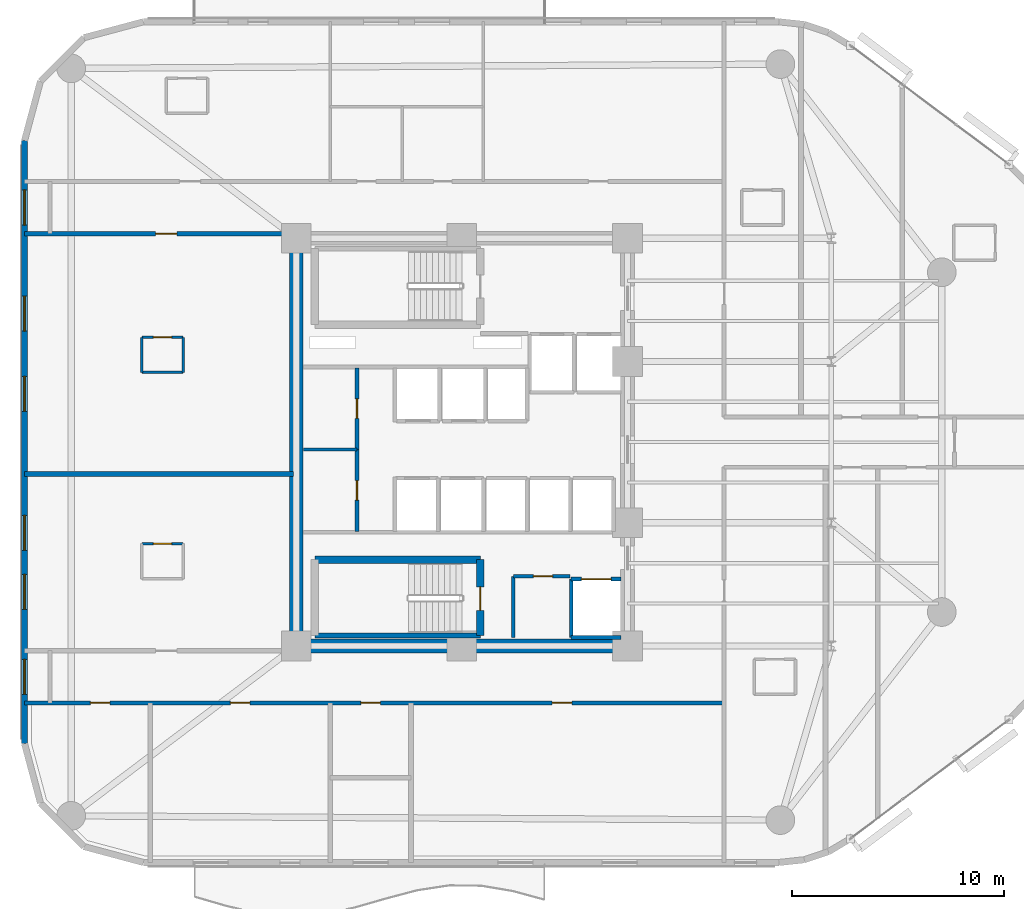
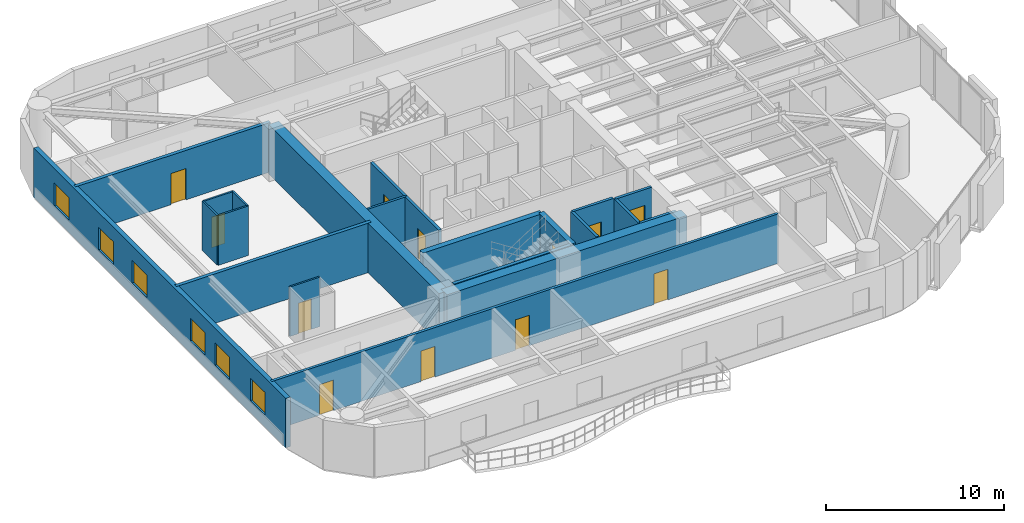
# One storey, part 10 of 16: 22 walls, 12 doors, 6 windows, 18 openings.
"""IFC4 building model written with IfcOpenShell, lengths in metres."""

from ifc_helpers import new_model, si_unit, direction, frame, frame_2d, origin, place, context, subcontext, project, spatial, rectangle, extrude, material, layer, layer_set, type_object, element, fill, save


model = new_model("IFC4")

# Units and contexts
model_context = context("Model", 3, precision=1e-05, world=origin(), true_north=direction((0.0, 1.0)))
body_context = subcontext(model_context, "Body", "Model", "MODEL_VIEW")
ifc_project = project(units=[si_unit("LENGTHUNIT", "METRE"), si_unit("AREAUNIT", "SQUARE_METRE"), si_unit("VOLUMEUNIT", "CUBIC_METRE"), si_unit("PLANEANGLEUNIT", "RADIAN"), si_unit("MASSUNIT", "GRAM", prefix="KILO")], contexts=[model_context])

# Site, building, storey
site_placement = place(None, origin())
site = spatial("IfcSite", under=ifc_project, at=site_placement, CompositionType="ELEMENT")
building_placement = place(site_placement, origin())
building = spatial("IfcBuilding", under=site, at=building_placement, Name="An Khanh Terracotta Commons", CompositionType="ELEMENT")
storey_placement = place(building_placement, frame((0.0, 0.0, 89.89990234375)))
storey = spatial("IfcBuildingStorey", under=building, at=storey_placement, Name="L23", CompositionType="ELEMENT", Elevation=89.89990234375)

# Walls
ifc_material_1 = material(Name="Concrete C60/75", Category="concrete")
ifc_layer_1 = layer(ifc_material_1, 0.64990234375, Name="Concrete C60/75")
ifc_layer_set_1 = layer_set([ifc_layer_1], Name="Concrete C60/75")
wall_type_1 = type_object("IfcWallType", Name="WALL-CORE-650", PredefinedType="SHEAR", material=ifc_layer_set_1)
wall_1_placement = place(storey_placement, frame((21.60009765625, 14.39990234375, 0.0), z_axis=(0.0, 0.0, 1.0), x_axis=(0.0, 1.0, 0.0)))
element("IfcWall", 1, at=wall_1_placement, inside=storey, type_object=wall_type_1, Name="L23 Core Wall CWALL-L23-W", PredefinedType="SHEAR", context=body_context, shape_type="SweptSolid", body=[
    extrude(rectangle(XDim=19.2001953125, YDim=0.64990234375, at=frame_2d((9.60009765625, 0.0))), origin(), (0.0, 0.0, 1.0), 3.400146484375),
])
wall_2_placement = place(storey_placement, frame((37.199951171875, 14.39990234375, 0.0), z_axis=(0.0, 0.0, 1.0), x_axis=(-1.0, 0.0, 0.0)))
element("IfcWall", 2, at=wall_2_placement, inside=storey, type_object=wall_type_1, Name="L23 Core Wall CWALL-L23-S", PredefinedType="SHEAR", context=body_context, shape_type="SweptSolid", body=[
    extrude(rectangle(XDim=15.599853515625, YDim=0.64990234375, at=frame_2d((7.7998046875, 0.0))), origin(), (0.0, 0.0, 1.0), 3.400146484375),
])

# Wall, opening, door
ifc_material_2 = material(Name="Fire-Rated Gypsum Board on Steel Stud", Category="steel")
ifc_layer_2 = layer(ifc_material_2, 0.179931640625, Name="Fire-Rated Gypsum Board on Steel Stud")
ifc_layer_set_2 = layer_set([ifc_layer_2], Name="Fire-Rated Gypsum Board on Steel Stud")
wall_type_2 = type_object("IfcWallType", Name="WALL-CORR-180", PredefinedType="PARTITIONING", material=ifc_layer_set_2)
wall_3_placement = place(storey_placement, frame((31.820068359375, 17.679931640625, 0.0), z_axis=(0.0, 0.0, 1.0), x_axis=(1.0, 0.0, 0.0)))
wall_3 = element("IfcWall", 3, at=wall_3_placement, inside=storey, type_object=wall_type_2, Name="L23 Core Wall SSVCW-L23-N", PredefinedType="PARTITIONING", context=body_context, shape_type="SweptSolid", body=[
    extrude(rectangle(XDim=2.659912109375, YDim=0.179931640625, at=frame_2d((1.330078125, 0.0))), origin(), (0.0, 0.0, 1.0), 3.400146484375),
])
opening_1_placement = place(wall_3_placement, frame((0.949951171875, 0.0, 0.0)))
opening_1 = element("IfcOpeningElement", 4, at=opening_1_placement, cuts=wall_3, Name="Opening D-SV", PredefinedType="OPENING", context=body_context, shape_type="SweptSolid", body=[
    extrude(rectangle(XDim=0.89990234375, YDim=2.050048828125, at=frame_2d((0.449951171875, 1.02490234375))), frame((0.0, 0.099853515625, 0.0), z_axis=(0.0, -1.0, 0.0), x_axis=(1.0, 0.0, 0.0)), (0.0, 0.0, 1.0), 0.199951171875),
])
ifc_material_3 = material(Name="Fire-Rated Powder-Coated Steel Door", Category="steel")
door_type_1 = type_object("IfcDoorType", Name="DOOR-SERV-900", OperationType="NOTDEFINED", PredefinedType="DOOR", material=ifc_material_3)
door_1_placement = place(opening_1_placement, origin())
door_1 = element("IfcDoor", 5, at=door_1_placement, inside=storey, type_object=door_type_1, Name="L23 Electrical Switch Cupboard Door", OperationType="SINGLE_SWING_LEFT", OverallHeight=2.050048828125, OverallWidth=0.89990234375, PredefinedType="DOOR", context=body_context, shape_type="SweptSolid", body=[
    extrude(rectangle(XDim=0.89990234375, YDim=2.050048828125, at=frame_2d((0.449951171875, 1.02490234375))), frame((0.0, 0.02490234375, 0.0), z_axis=(0.0, -1.0, 0.0), x_axis=(1.0, 0.0, 0.0)), (0.0, 0.0, 1.0), 0.050048828125),
])
fill(opening_1, door_1)

# Wall
wall_4_placement = place(storey_placement, frame((31.820068359375, 14.800048828125, 0.0), z_axis=(0.0, 0.0, 1.0), x_axis=(0.0, 1.0, 0.0)))
element("IfcWall", 6, at=wall_4_placement, inside=storey, type_object=wall_type_2, Name="L23 Core Wall SSVCW-L23-W", PredefinedType="PARTITIONING", context=body_context, shape_type="SweptSolid", body=[
    extrude(rectangle(XDim=2.8798828125, YDim=0.179931640625, at=frame_2d((1.43994140625, 0.0))), origin(), (0.0, 0.0, 1.0), 3.400146484375),
])

# Wall, opening, door
wall_5_placement = place(storey_placement, frame((34.550048828125, 17.550048828125, 0.0), z_axis=(0.0, 0.0, 1.0), x_axis=(1.0, 0.0, 0.0)))
wall_5 = element("IfcWall", 7, at=wall_5_placement, inside=storey, type_object=wall_type_2, Name="L23 Core Wall LSH-L23-SVL-01-N", PredefinedType="PARTITIONING", context=body_context, shape_type="SweptSolid", body=[
    extrude(rectangle(XDim=2.349853515625, YDim=0.179931640625, at=frame_2d((1.1748046875, 0.0))), origin(), (0.0, 0.0, 1.0), 3.400146484375),
])
opening_2_placement = place(wall_5_placement, frame((0.47509765625, 0.0, 0.0)))
opening_2 = element("IfcOpeningElement", 8, at=opening_2_placement, cuts=wall_5, Name="Opening LD-SVL-01-L23", PredefinedType="OPENING", context=body_context, shape_type="SweptSolid", body=[
    extrude(rectangle(XDim=1.39990234375, YDim=2.300048828125, at=frame_2d((0.699951171875, 1.14990234375))), frame((0.0, 0.099853515625, 0.0), z_axis=(0.0, -1.0, 0.0), x_axis=(1.0, 0.0, 0.0)), (0.0, 0.0, 1.0), 0.199951171875),
])
ifc_material_4 = material(Name="Heavy-Duty Stainless Steel Goods Landing Door", Category="steel")
door_type_2 = type_object("IfcDoorType", Name="DOOR-LD-SVL-1400", OperationType="NOTDEFINED", PredefinedType="DOOR", material=ifc_material_4)
door_2_placement = place(opening_2_placement, origin())
door_2 = element("IfcDoor", 9, at=door_2_placement, inside=storey, type_object=door_type_2, Name="L23 Lift SVL-01 Sliding Landing Door", OperationType="DOUBLE_DOOR_SLIDING", OverallHeight=2.300048828125, OverallWidth=1.39990234375, PredefinedType="DOOR", context=body_context, shape_type="SweptSolid", body=[
    extrude(rectangle(XDim=1.39990234375, YDim=2.300048828125, at=frame_2d((0.699951171875, 1.14990234375))), frame((0.0, 0.02490234375, 0.0), z_axis=(0.0, -1.0, 0.0), x_axis=(1.0, 0.0, 0.0)), (0.0, 0.0, 1.0), 0.050048828125),
])
fill(opening_2, door_2)

# Walls
wall_6_placement = place(storey_placement, frame((36.89990234375, 14.800048828125, 0.0), z_axis=(0.0, 0.0, 1.0), x_axis=(-1.0, 0.0, 0.0)))
element("IfcWall", 10, at=wall_6_placement, inside=storey, type_object=wall_type_2, Name="L23 Core Wall LSH-L23-SVL-01-S", PredefinedType="PARTITIONING", context=body_context, shape_type="SweptSolid", body=[
    extrude(rectangle(XDim=2.349853515625, YDim=0.179931640625, at=frame_2d((1.1748046875, 0.0))), origin(), (0.0, 0.0, 1.0), 3.400146484375),
])
wall_7_placement = place(storey_placement, frame((34.550048828125, 17.550048828125, 0.0), z_axis=(0.0, 0.0, 1.0), x_axis=(0.0, -1.0, 0.0)))
element("IfcWall", 11, at=wall_7_placement, inside=storey, type_object=wall_type_2, Name="L23 Core Wall LSH-L23-SVL-01-W", PredefinedType="PARTITIONING", context=body_context, shape_type="SweptSolid", body=[
    extrude(rectangle(XDim=2.75, YDim=0.179931640625, at=frame_2d((1.375, 0.0))), origin(), (0.0, 0.0, 1.0), 3.400146484375),
])

# Wall, opening, door
wall_8_placement = place(storey_placement, frame((24.4599609375, 23.64990234375, 0.0), z_axis=(0.0, 0.0, 1.0), x_axis=(0.0, 1.0, 0.0)))
wall_8 = element("IfcWall", 12, at=wall_8_placement, inside=storey, type_object=wall_type_2, Name="L23 Core Wall RECW-L23-E1", PredefinedType="PARTITIONING", context=body_context, shape_type="SweptSolid", body=[
    extrude(rectangle(XDim=3.85009765625, YDim=0.179931640625, at=frame_2d((1.925048828125, 0.0))), origin(), (0.0, 0.0, 1.0), 3.400146484375),
])
opening_3_placement = place(wall_8_placement, frame((1.465087890625, 0.0, 0.0)))
opening_3 = element("IfcOpeningElement", 13, at=opening_3_placement, cuts=wall_8, Name="Opening D-RM", PredefinedType="OPENING", context=body_context, shape_type="SweptSolid", body=[
    extrude(rectangle(XDim=0.919921875, YDim=2.10009765625, at=frame_2d((0.4599609375, 1.050048828125))), frame((0.0, 0.099853515625, 0.0), z_axis=(0.0, -1.0, 0.0), x_axis=(1.0, 0.0, 0.0)), (0.0, 0.0, 1.0), 0.199951171875),
])
ifc_material_5 = material(Name="Engineered Hardwood Timber Leaf", Category="wood")
door_type_3 = type_object("IfcDoorType", Name="DOOR-INT-920", OperationType="NOTDEFINED", PredefinedType="DOOR", material=ifc_material_5)
door_3_placement = place(opening_3_placement, origin())
door_3 = element("IfcDoor", 14, at=door_3_placement, inside=storey, type_object=door_type_3, Name="L23 Communal Laundry Room Door", OperationType="SINGLE_SWING_RIGHT", OverallHeight=2.10009765625, OverallWidth=0.919921875, PredefinedType="DOOR", context=body_context, shape_type="SweptSolid", body=[
    extrude(rectangle(XDim=0.919921875, YDim=2.10009765625, at=frame_2d((0.4599609375, 1.050048828125))), frame((0.0, 0.02490234375, 0.0), z_axis=(0.0, -1.0, 0.0), x_axis=(1.0, 0.0, 0.0)), (0.0, 0.0, 1.0), 0.050048828125),
])
fill(opening_3, door_3)

wall_9_placement = place(storey_placement, frame((24.4599609375, 19.800048828125, 0.0), z_axis=(0.0, 0.0, 1.0), x_axis=(0.0, 1.0, 0.0)))
wall_9 = element("IfcWall", 15, at=wall_9_placement, inside=storey, type_object=wall_type_2, Name="L23 Core Wall RECW-L23-E2", PredefinedType="PARTITIONING", context=body_context, shape_type="SweptSolid", body=[
    extrude(rectangle(XDim=3.849853515625, YDim=0.179931640625, at=frame_2d((1.9248046875, 0.0))), origin(), (0.0, 0.0, 1.0), 3.400146484375),
])
opening_4_placement = place(wall_9_placement, frame((1.465087890625, 0.0, 0.0)))
opening_4 = element("IfcOpeningElement", 16, at=opening_4_placement, cuts=wall_9, Name="Opening D-RM", PredefinedType="OPENING", context=body_context, shape_type="SweptSolid", body=[
    extrude(rectangle(XDim=0.919921875, YDim=2.10009765625, at=frame_2d((0.4599609375, 1.050048828125))), frame((0.0, 0.099853515625, 0.0), z_axis=(0.0, -1.0, 0.0), x_axis=(1.0, 0.0, 0.0)), (0.0, 0.0, 1.0), 0.199951171875),
])
door_4_placement = place(opening_4_placement, origin())
door_4 = element("IfcDoor", 17, at=door_4_placement, inside=storey, type_object=door_type_3, Name="L23 Floor Pantry and Ice Room Door", OperationType="SINGLE_SWING_LEFT", OverallHeight=2.10009765625, OverallWidth=0.919921875, PredefinedType="DOOR", context=body_context, shape_type="SweptSolid", body=[
    extrude(rectangle(XDim=0.919921875, YDim=2.10009765625, at=frame_2d((0.4599609375, 1.050048828125))), frame((0.0, 0.02490234375, 0.0), z_axis=(0.0, -1.0, 0.0), x_axis=(1.0, 0.0, 0.0)), (0.0, 0.0, 1.0), 0.050048828125),
])
fill(opening_4, door_4)

# Wall, openings, doors
wall_10_placement = place(storey_placement, frame((8.800048828125, 11.719970703125, 0.0), z_axis=(0.0, 0.0, 1.0), x_axis=(1.0, 0.0, 0.0)))
wall_10 = element("IfcWall", 18, at=wall_10_placement, inside=storey, type_object=wall_type_2, Name="L23 Interior Partition IW-L23-E002", PredefinedType="PARTITIONING", context=body_context, shape_type="SweptSolid", body=[
    extrude(rectangle(XDim=32.949951171875, YDim=0.179931640625, at=frame_2d((16.47509765625, 0.0))), origin(), (0.0, 0.0, 1.0), 3.400146484375),
])
opening_5_placement = place(wall_10_placement, frame((15.840087890625, 0.0, 0.0)))
opening_5 = element("IfcOpeningElement", 19, at=opening_5_placement, cuts=wall_10, Name="Opening D-RM", PredefinedType="OPENING", context=body_context, shape_type="SweptSolid", body=[
    extrude(rectangle(XDim=0.919921875, YDim=2.10009765625, at=frame_2d((0.4599609375, 1.050048828125))), frame((0.0, 0.099853515625, 0.0), z_axis=(0.0, -1.0, 0.0), x_axis=(1.0, 0.0, 0.0)), (0.0, 0.0, 1.0), 0.199951171875),
])
opening_6_placement = place(wall_10_placement, frame((3.10107421875, 0.0, 0.0)))
opening_6 = element("IfcOpeningElement", 20, at=opening_6_placement, cuts=wall_10, Name="Opening D-RM", PredefinedType="OPENING", context=body_context, shape_type="SweptSolid", body=[
    extrude(rectangle(XDim=0.919921875, YDim=2.10009765625, at=frame_2d((0.4599609375, 1.050048828125))), frame((0.0, 0.099853515625, 0.0), z_axis=(0.0, -1.0, 0.0), x_axis=(1.0, 0.0, 0.0)), (0.0, 0.0, 1.0), 0.199951171875),
])
opening_7_placement = place(wall_10_placement, frame((9.700927734375, 0.0, 0.0)))
opening_7 = element("IfcOpeningElement", 21, at=opening_7_placement, cuts=wall_10, Name="Opening D-RM", PredefinedType="OPENING", context=body_context, shape_type="SweptSolid", body=[
    extrude(rectangle(XDim=0.919921875, YDim=2.10009765625, at=frame_2d((0.4599609375, 1.050048828125))), frame((0.0, 0.099853515625, 0.0), z_axis=(0.0, -1.0, 0.0), x_axis=(1.0, 0.0, 0.0)), (0.0, 0.0, 1.0), 0.199951171875),
])
opening_8_placement = place(wall_10_placement, frame((24.85498046875, 0.0, 0.0)))
opening_8 = element("IfcOpeningElement", 22, at=opening_8_placement, cuts=wall_10, Name="Opening D-RM", PredefinedType="OPENING", context=body_context, shape_type="SweptSolid", body=[
    extrude(rectangle(XDim=0.919921875, YDim=2.10009765625, at=frame_2d((0.4599609375, 1.050048828125))), frame((0.0, 0.099853515625, 0.0), z_axis=(0.0, -1.0, 0.0), x_axis=(1.0, 0.0, 0.0)), (0.0, 0.0, 1.0), 0.199951171875),
])
door_5_placement = place(opening_5_placement, origin())
door_5 = element("IfcDoor", 23, at=door_5_placement, inside=storey, type_object=door_type_3, Name="L23 HKP Housekeeping Linen Store Door", OperationType="SINGLE_SWING_RIGHT", OverallHeight=2.10009765625, OverallWidth=0.919921875, PredefinedType="DOOR", context=body_context, shape_type="SweptSolid", body=[
    extrude(rectangle(XDim=0.919921875, YDim=2.10009765625, at=frame_2d((0.4599609375, 1.050048828125))), frame((0.0, 0.02490234375, 0.0), z_axis=(0.0, -1.0, 0.0), x_axis=(1.0, 0.0, 0.0)), (0.0, 0.0, 1.0), 0.050048828125),
])
fill(opening_5, door_5)
door_6_placement = place(opening_6_placement, origin())
door_6 = element("IfcDoor", 24, at=door_6_placement, inside=storey, type_object=door_type_3, Name="L23 SW1 Academic Seminar Room Door", OperationType="SINGLE_SWING_RIGHT", OverallHeight=2.10009765625, OverallWidth=0.919921875, PredefinedType="DOOR", context=body_context, shape_type="SweptSolid", body=[
    extrude(rectangle(XDim=0.919921875, YDim=2.10009765625, at=frame_2d((0.4599609375, 1.050048828125))), frame((0.0, 0.02490234375, 0.0), z_axis=(0.0, -1.0, 0.0), x_axis=(1.0, 0.0, 0.0)), (0.0, 0.0, 1.0), 0.050048828125),
])
fill(opening_6, door_6)
door_7_placement = place(opening_7_placement, origin())
door_7 = element("IfcDoor", 25, at=door_7_placement, inside=storey, type_object=door_type_3, Name="L23 SW2 Academic Seminar Room Door", OperationType="SINGLE_SWING_LEFT", OverallHeight=2.10009765625, OverallWidth=0.919921875, PredefinedType="DOOR", context=body_context, shape_type="SweptSolid", body=[
    extrude(rectangle(XDim=0.919921875, YDim=2.10009765625, at=frame_2d((0.4599609375, 1.050048828125))), frame((0.0, 0.02490234375, 0.0), z_axis=(0.0, -1.0, 0.0), x_axis=(1.0, 0.0, 0.0)), (0.0, 0.0, 1.0), 0.050048828125),
])
fill(opening_7, door_7)
door_8_placement = place(opening_8_placement, origin())
door_8 = element("IfcDoor", 26, at=door_8_placement, inside=storey, type_object=door_type_3, Name="L23 SWE Academic Seminar Room Door", OperationType="SINGLE_SWING_RIGHT", OverallHeight=2.10009765625, OverallWidth=0.919921875, PredefinedType="DOOR", context=body_context, shape_type="SweptSolid", body=[
    extrude(rectangle(XDim=0.919921875, YDim=2.10009765625, at=frame_2d((0.4599609375, 1.050048828125))), frame((0.0, 0.02490234375, 0.0), z_axis=(0.0, -1.0, 0.0), x_axis=(1.0, 0.0, 0.0)), (0.0, 0.0, 1.0), 0.050048828125),
])
fill(opening_8, door_8)

# Wall, openings, windows
ifc_material_6 = material(Name="Precast concrete C40/50", Category="concrete")
ifc_layer_3 = layer(ifc_material_6, 0.300048828125, Name="Precast concrete C40/50")
ifc_layer_set_3 = layer_set([ifc_layer_3], Name="Precast concrete C40/50")
wall_type_3 = type_object("IfcWallType", Name="WALL-EXT-300", PredefinedType="SOLIDWALL", material=ifc_layer_set_3)
wall_11_placement = place(storey_placement, frame((8.800048828125, 38.199951171875, 0.0), z_axis=(0.0, 0.0, 1.0), x_axis=(0.0, -1.0, 0.0)))
wall_11 = element("IfcWall", 27, at=wall_11_placement, inside=storey, type_object=wall_type_3, Name="L23 Insulated Terracotta Exterior Wall 24", PredefinedType="SOLIDWALL", context=body_context, shape_type="SweptSolid", body=[
    extrude(rectangle(XDim=28.39990234375, YDim=0.300048828125, at=frame_2d((14.199951171875, 0.0))), origin(), (0.0, 0.0, 1.0), 3.400146484375),
])
opening_9_placement = place(wall_11_placement, frame((2.324951171875, 0.0, 0.85009765625)))
opening_9 = element("IfcOpeningElement", 28, at=opening_9_placement, cuts=wall_11, Name="Opening W-02", PredefinedType="OPENING", context=body_context, shape_type="SweptSolid", body=[
    extrude(rectangle(XDim=1.64990234375, YDim=1.550048828125, at=frame_2d((0.824951171875, 0.77490234375))), frame((0.0, 0.159912109375, 0.0), z_axis=(0.0, -1.0, 0.0), x_axis=(1.0, 0.0, 0.0)), (0.0, 0.0, 1.0), 0.320068359375),
])
opening_10_placement = place(wall_11_placement, frame((7.327880859375, 0.0, 0.85009765625)))
opening_10 = element("IfcOpeningElement", 29, at=opening_10_placement, cuts=wall_11, Name="Opening W-02", PredefinedType="OPENING", context=body_context, shape_type="SweptSolid", body=[
    extrude(rectangle(XDim=1.64990234375, YDim=1.550048828125, at=frame_2d((0.824951171875, 0.77490234375))), frame((0.0, 0.159912109375, 0.0), z_axis=(0.0, -1.0, 0.0), x_axis=(1.0, 0.0, 0.0)), (0.0, 0.0, 1.0), 0.320068359375),
])
opening_11_placement = place(wall_11_placement, frame((11.10205078125, 0.0, 0.85009765625)))
opening_11 = element("IfcOpeningElement", 30, at=opening_11_placement, cuts=wall_11, Name="Opening W-02", PredefinedType="OPENING", context=body_context, shape_type="SweptSolid", body=[
    extrude(rectangle(XDim=1.64990234375, YDim=1.550048828125, at=frame_2d((0.824951171875, 0.77490234375))), frame((0.0, 0.159912109375, 0.0), z_axis=(0.0, -1.0, 0.0), x_axis=(1.0, 0.0, 0.0)), (0.0, 0.0, 1.0), 0.320068359375),
])
opening_12_placement = place(wall_11_placement, frame((17.64794921875, 0.0, 0.85009765625)))
opening_12 = element("IfcOpeningElement", 31, at=opening_12_placement, cuts=wall_11, Name="Opening W-02", PredefinedType="OPENING", context=body_context, shape_type="SweptSolid", body=[
    extrude(rectangle(XDim=1.64990234375, YDim=1.550048828125, at=frame_2d((0.824951171875, 0.77490234375))), frame((0.0, 0.159912109375, 0.0), z_axis=(0.0, -1.0, 0.0), x_axis=(1.0, 0.0, 0.0)), (0.0, 0.0, 1.0), 0.320068359375),
])
opening_13_placement = place(wall_11_placement, frame((20.422119140625, 0.0, 0.85009765625)))
opening_13 = element("IfcOpeningElement", 32, at=opening_13_placement, cuts=wall_11, Name="Opening W-02", PredefinedType="OPENING", context=body_context, shape_type="SweptSolid", body=[
    extrude(rectangle(XDim=1.64990234375, YDim=1.550048828125, at=frame_2d((0.824951171875, 0.77490234375))), frame((0.0, 0.159912109375, 0.0), z_axis=(0.0, -1.0, 0.0), x_axis=(1.0, 0.0, 0.0)), (0.0, 0.0, 1.0), 0.320068359375),
])
opening_14_placement = place(wall_11_placement, frame((24.425048828125, 0.0, 0.85009765625)))
opening_14 = element("IfcOpeningElement", 33, at=opening_14_placement, cuts=wall_11, Name="Opening W-02", PredefinedType="OPENING", context=body_context, shape_type="SweptSolid", body=[
    extrude(rectangle(XDim=1.64990234375, YDim=1.550048828125, at=frame_2d((0.824951171875, 0.77490234375))), frame((0.0, 0.159912109375, 0.0), z_axis=(0.0, -1.0, 0.0), x_axis=(1.0, 0.0, 0.0)), (0.0, 0.0, 1.0), 0.320068359375),
])
ifc_material_7 = material(Name="Thermally Broken Aluminium and Low-E Glass", Category="aluminium")
window_type = type_object("IfcWindowType", Name="WIN-Z2-1650x1550", PartitioningType="DOUBLE_PANEL_VERTICAL", PredefinedType="WINDOW", material=ifc_material_7)
window_1_placement = place(opening_9_placement, origin())
window_1 = element("IfcWindow", 34, at=window_1_placement, inside=storey, type_object=window_type, Name="L23 Operable Casement Window 24.1", OverallHeight=1.550048828125, OverallWidth=1.64990234375, PartitioningType="DOUBLE_PANEL_VERTICAL", PredefinedType="WINDOW", context=body_context, shape_type="SweptSolid", body=[
    extrude(rectangle(XDim=1.64990234375, YDim=1.550048828125, at=frame_2d((0.824951171875, 0.77490234375))), frame((0.0, 0.030029296875, 0.0), z_axis=(0.0, -1.0, 0.0), x_axis=(1.0, 0.0, 0.0)), (0.0, 0.0, 1.0), 0.06005859375),
])
fill(opening_9, window_1)
window_2_placement = place(opening_10_placement, origin())
window_2 = element("IfcWindow", 35, at=window_2_placement, inside=storey, type_object=window_type, Name="L23 Operable Casement Window 24.2", OverallHeight=1.550048828125, OverallWidth=1.64990234375, PartitioningType="DOUBLE_PANEL_VERTICAL", PredefinedType="WINDOW", context=body_context, shape_type="SweptSolid", body=[
    extrude(rectangle(XDim=1.64990234375, YDim=1.550048828125, at=frame_2d((0.824951171875, 0.77490234375))), frame((0.0, 0.030029296875, 0.0), z_axis=(0.0, -1.0, 0.0), x_axis=(1.0, 0.0, 0.0)), (0.0, 0.0, 1.0), 0.06005859375),
])
fill(opening_10, window_2)
window_3_placement = place(opening_11_placement, origin())
window_3 = element("IfcWindow", 36, at=window_3_placement, inside=storey, type_object=window_type, Name="L23 Operable Casement Window 24.3", OverallHeight=1.550048828125, OverallWidth=1.64990234375, PartitioningType="DOUBLE_PANEL_VERTICAL", PredefinedType="WINDOW", context=body_context, shape_type="SweptSolid", body=[
    extrude(rectangle(XDim=1.64990234375, YDim=1.550048828125, at=frame_2d((0.824951171875, 0.77490234375))), frame((0.0, 0.030029296875, 0.0), z_axis=(0.0, -1.0, 0.0), x_axis=(1.0, 0.0, 0.0)), (0.0, 0.0, 1.0), 0.06005859375),
])
fill(opening_11, window_3)
window_4_placement = place(opening_12_placement, origin())
window_4 = element("IfcWindow", 37, at=window_4_placement, inside=storey, type_object=window_type, Name="L23 Operable Casement Window 24.4", OverallHeight=1.550048828125, OverallWidth=1.64990234375, PartitioningType="DOUBLE_PANEL_VERTICAL", PredefinedType="WINDOW", context=body_context, shape_type="SweptSolid", body=[
    extrude(rectangle(XDim=1.64990234375, YDim=1.550048828125, at=frame_2d((0.824951171875, 0.77490234375))), frame((0.0, 0.030029296875, 0.0), z_axis=(0.0, -1.0, 0.0), x_axis=(1.0, 0.0, 0.0)), (0.0, 0.0, 1.0), 0.06005859375),
])
fill(opening_12, window_4)
window_5_placement = place(opening_13_placement, origin())
window_5 = element("IfcWindow", 38, at=window_5_placement, inside=storey, type_object=window_type, Name="L23 Operable Casement Window 24.5", OverallHeight=1.550048828125, OverallWidth=1.64990234375, PartitioningType="DOUBLE_PANEL_VERTICAL", PredefinedType="WINDOW", context=body_context, shape_type="SweptSolid", body=[
    extrude(rectangle(XDim=1.64990234375, YDim=1.550048828125, at=frame_2d((0.824951171875, 0.77490234375))), frame((0.0, 0.030029296875, 0.0), z_axis=(0.0, -1.0, 0.0), x_axis=(1.0, 0.0, 0.0)), (0.0, 0.0, 1.0), 0.06005859375),
])
fill(opening_13, window_5)
window_6_placement = place(opening_14_placement, origin())
window_6 = element("IfcWindow", 39, at=window_6_placement, inside=storey, type_object=window_type, Name="L23 Operable Casement Window 24.6", OverallHeight=1.550048828125, OverallWidth=1.64990234375, PartitioningType="DOUBLE_PANEL_VERTICAL", PredefinedType="WINDOW", context=body_context, shape_type="SweptSolid", body=[
    extrude(rectangle(XDim=1.64990234375, YDim=1.550048828125, at=frame_2d((0.824951171875, 0.77490234375))), frame((0.0, 0.030029296875, 0.0), z_axis=(0.0, -1.0, 0.0), x_axis=(1.0, 0.0, 0.0)), (0.0, 0.0, 1.0), 0.06005859375),
])
fill(opening_14, window_6)

# Walls
ifc_material_8 = material(Name="Acoustic Gypsum Board Partition")
ifc_layer_4 = layer(ifc_material_8, 0.14990234375, Name="Acoustic Gypsum Board Partition")
ifc_layer_set_4 = layer_set([ifc_layer_4], Name="Acoustic Gypsum Board Partition")
wall_type_4 = type_object("IfcWallType", Name="WALL-PART-150", PredefinedType="PARTITIONING", material=ifc_layer_set_4)
wall_12_placement = place(storey_placement, frame((21.949951171875, 23.64990234375, 0.0), z_axis=(0.0, 0.0, 1.0), x_axis=(1.0, 0.0, 0.0)))
element("IfcWall", 40, at=wall_12_placement, inside=storey, type_object=wall_type_4, Name="L23 Core Wall RECW-L23-M", PredefinedType="PARTITIONING", context=body_context, shape_type="SweptSolid", body=[
    extrude(rectangle(XDim=2.510009765625, YDim=0.14990234375, at=frame_2d((1.2548828125, 0.0))), origin(), (0.0, 0.0, 1.0), 3.400146484375),
])
ifc_material_9 = material(Name="Acoustic Double-Stud Gypsum and Mineral Wool")
ifc_layer_5 = layer(ifc_material_9, 0.219970703125, Name="Acoustic Double-Stud Gypsum and Mineral Wool")
ifc_layer_set_5 = layer_set([ifc_layer_5], Name="Acoustic Double-Stud Gypsum and Mineral Wool")
wall_type_5 = type_object("IfcWallType", Name="WALL-PARTY-220", PredefinedType="PARTITIONING", material=ifc_layer_set_5)
wall_13_placement = place(storey_placement, frame((22.47998046875, 14.889892578125, 0.0), z_axis=(0.0, 0.0, 1.0), x_axis=(1.0, 0.0, 0.0)))
element("IfcWall", 41, at=wall_13_placement, inside=storey, type_object=wall_type_5, Name="L23 Core Wall STW-L23-S-S", PredefinedType="PARTITIONING", context=body_context, shape_type="SweptSolid", body=[
    extrude(rectangle(XDim=7.7900390625, YDim=0.219970703125, at=frame_2d((3.89501953125, 0.0))), origin(), (0.0, 0.0, 1.0), 3.400146484375),
])
wall_14_placement = place(storey_placement, frame((8.800048828125, 22.5, 0.0), z_axis=(0.0, 0.0, 1.0), x_axis=(1.0, 0.0, 0.0)))
element("IfcWall", 42, at=wall_14_placement, inside=storey, type_object=wall_type_5, Name="L23 Interior Partition IW-L23-E004", PredefinedType="PARTITIONING", context=body_context, shape_type="SweptSolid", body=[
    extrude(rectangle(XDim=12.679931640625, YDim=0.219970703125, at=frame_2d((6.33984375, 0.0))), origin(), (0.0, 0.0, 1.0), 3.400146484375),
])

# Wall, opening, door
wall_15_placement = place(storey_placement, frame((8.800048828125, 33.820068359375, 0.0), z_axis=(0.0, 0.0, 1.0), x_axis=(1.0, 0.0, 0.0)))
wall_15 = element("IfcWall", 43, at=wall_15_placement, inside=storey, type_object=wall_type_5, Name="L23 Interior Partition IW-L23-E007", PredefinedType="PARTITIONING", context=body_context, shape_type="SweptSolid", body=[
    extrude(rectangle(XDim=12.679931640625, YDim=0.219970703125, at=frame_2d((6.33984375, 0.0))), origin(), (0.0, 0.0, 1.0), 3.400146484375),
])
opening_15_placement = place(wall_15_placement, frame((6.179931640625, 0.0, 0.0)))
opening_15 = element("IfcOpeningElement", 44, at=opening_15_placement, cuts=wall_15, Name="Opening D-UN", PredefinedType="OPENING", context=body_context, shape_type="SweptSolid", body=[
    extrude(rectangle(XDim=1.0, YDim=2.14990234375, at=frame_2d((0.5, 1.074951171875))), frame((0.0, 0.119873046875, 0.0), z_axis=(0.0, -1.0, 0.0), x_axis=(1.0, 0.0, 0.0)), (0.0, 0.0, 1.0), 0.239990234375),
])
ifc_material_10 = material(Name="Solid-Core Hardwood Acoustic Fire Door", Category="wood")
door_type_4 = type_object("IfcDoorType", Name="DOOR-UNIT-1000", OperationType="NOTDEFINED", PredefinedType="DOOR", material=ifc_material_10)
door_9_placement = place(opening_15_placement, origin())
door_9 = element("IfcDoor", 45, at=door_9_placement, inside=storey, type_object=door_type_4, Name="L23 WW2 Kitchenette and Studio Apartment Door", OperationType="SINGLE_SWING_RIGHT", OverallHeight=2.14990234375, OverallWidth=1.0, PredefinedType="DOOR", context=body_context, shape_type="SweptSolid", body=[
    extrude(rectangle(XDim=1.0, YDim=2.14990234375, at=frame_2d((0.5, 1.074951171875))), frame((0.0, 0.02490234375, 0.0), z_axis=(0.0, -1.0, 0.0), x_axis=(1.0, 0.0, 0.0)), (0.0, 0.0, 1.0), 0.050048828125),
])
fill(opening_15, door_9)

# Wall
ifc_material_11 = material(Name="Concrete C50/60", Category="concrete")
ifc_layer_6 = layer(ifc_material_11, 0.35009765625, Name="Concrete C50/60")
ifc_layer_set_6 = layer_set([ifc_layer_6], Name="Concrete C50/60")
wall_type_6 = type_object("IfcWallType", Name="WALL-SHAFT-350", PredefinedType="SOLIDWALL", material=ifc_layer_set_6)
wall_16_placement = place(storey_placement, frame((22.47998046875, 18.469970703125, 0.0), z_axis=(0.0, 0.0, 1.0), x_axis=(1.0, 0.0, 0.0)))
element("IfcWall", 46, at=wall_16_placement, inside=storey, type_object=wall_type_6, Name="L23 Core Wall STW-L23-S-N", PredefinedType="SOLIDWALL", context=body_context, shape_type="SweptSolid", body=[
    extrude(rectangle(XDim=7.7900390625, YDim=0.35009765625, at=frame_2d((3.89501953125, 0.0))), origin(), (0.0, 0.0, 1.0), 3.400146484375),
])

# Wall, opening, door
wall_17_placement = place(storey_placement, frame((30.27001953125, 14.889892578125, 0.0), z_axis=(0.0, 0.0, 1.0), x_axis=(0.0, 1.0, 0.0)))
wall_17 = element("IfcWall", 47, at=wall_17_placement, inside=storey, type_object=wall_type_6, Name="L23 Core Wall STW-L23-S-E", PredefinedType="SOLIDWALL", context=body_context, shape_type="SweptSolid", body=[
    extrude(rectangle(XDim=3.580078125, YDim=0.35009765625, at=frame_2d((1.7900390625, 0.0))), origin(), (0.0, 0.0, 1.0), 3.400146484375),
])
opening_16_placement = place(wall_17_placement, frame((1.18994140625, 0.0, 0.0)))
opening_16 = element("IfcOpeningElement", 48, at=opening_16_placement, cuts=wall_17, Name="Opening D-ST", PredefinedType="OPENING", context=body_context, shape_type="SweptSolid", body=[
    extrude(rectangle(XDim=1.10009765625, YDim=2.14990234375, at=frame_2d((0.550048828125, 1.074951171875))), frame((0.0, 0.18505859375, 0.0), z_axis=(0.0, -1.0, 0.0), x_axis=(1.0, 0.0, 0.0)), (0.0, 0.0, 1.0), 0.3701171875),
])
ifc_material_12 = material(Name="Fire-Rated Steel Leaf and Frame", Category="steel")
door_type_5 = type_object("IfcDoorType", Name="DOOR-STAIR-1100", OperationType="NOTDEFINED", PredefinedType="DOOR", material=ifc_material_12)
door_10_placement = place(opening_16_placement, origin())
door_10 = element("IfcDoor", 49, at=door_10_placement, inside=storey, type_object=door_type_5, Name="L23 Stair ST-02 Fire Door", OperationType="SINGLE_SWING_RIGHT", OverallHeight=2.14990234375, OverallWidth=1.10009765625, PredefinedType="DOOR", context=body_context, shape_type="SweptSolid", body=[
    extrude(rectangle(XDim=1.10009765625, YDim=2.14990234375, at=frame_2d((0.550048828125, 1.074951171875))), frame((0.0, 0.02490234375, 0.0), z_axis=(0.0, -1.0, 0.0), x_axis=(1.0, 0.0, 0.0)), (0.0, 0.0, 1.0), 0.050048828125),
])
fill(opening_16, door_10)

ifc_material_13 = material(Name="Moisture-Resistant Cement Board Partition")
ifc_layer_7 = layer(ifc_material_13, 0.1201171875, Name="Moisture-Resistant Cement Board Partition")
ifc_layer_set_7 = layer_set([ifc_layer_7], Name="Moisture-Resistant Cement Board Partition")
wall_type_7 = type_object("IfcWallType", Name="WALL-WET-120", PredefinedType="PARTITIONING", material=ifc_layer_set_7)
wall_18_placement = place(storey_placement, frame((14.324951171875, 19.215087890625, 0.0), z_axis=(0.0, 0.0, 1.0), x_axis=(1.0, 0.0, 0.0)))
wall_18 = element("IfcWall", 50, at=wall_18_placement, inside=storey, type_object=wall_type_7, Name="L23 Interior Partition IW-L23-WW1-BN", PredefinedType="PARTITIONING", context=body_context, shape_type="SweptSolid", body=[
    extrude(rectangle(XDim=1.949951171875, YDim=0.1201171875, at=frame_2d((0.97509765625, 0.0))), origin(), (0.0, 0.0, 1.0), 3.400146484375),
])
opening_17_placement = place(wall_18_placement, frame((0.544921875, 0.0, 0.0)))
opening_17 = element("IfcOpeningElement", 51, at=opening_17_placement, cuts=wall_18, Name="Opening D-ENS", PredefinedType="OPENING", context=body_context, shape_type="SweptSolid", body=[
    extrude(rectangle(XDim=0.860107421875, YDim=2.10009765625, at=frame_2d((0.43017578125, 1.050048828125))), frame((0.0, 0.070068359375, 0.0), z_axis=(0.0, -1.0, 0.0), x_axis=(1.0, 0.0, 0.0)), (0.0, 0.0, 1.0), 0.14013671875),
])
ifc_material_14 = material(Name="Moisture-Resistant Hardwood Timber Leaf", Category="wood")
door_type_6 = type_object("IfcDoorType", Name="DOOR-BATH-860", OperationType="NOTDEFINED", PredefinedType="DOOR", material=ifc_material_14)
door_11_placement = place(opening_17_placement, origin())
door_11 = element("IfcDoor", 52, at=door_11_placement, inside=storey, type_object=door_type_6, Name="L23 Studio WW1 En-suite Door", OperationType="SINGLE_SWING_RIGHT", OverallHeight=2.10009765625, OverallWidth=0.860107421875, PredefinedType="DOOR", context=body_context, shape_type="SweptSolid", body=[
    extrude(rectangle(XDim=0.860107421875, YDim=2.10009765625, at=frame_2d((0.43017578125, 1.050048828125))), frame((0.0, 0.02490234375, 0.0), z_axis=(0.0, -1.0, 0.0), x_axis=(1.0, 0.0, 0.0)), (0.0, 0.0, 1.0), 0.050048828125),
])
fill(opening_17, door_11)

wall_19_placement = place(storey_placement, frame((14.324951171875, 28.93505859375, 0.0), z_axis=(0.0, 0.0, 1.0), x_axis=(1.0, 0.0, 0.0)))
wall_19 = element("IfcWall", 53, at=wall_19_placement, inside=storey, type_object=wall_type_7, Name="L23 Interior Partition IW-L23-WW2-BN", PredefinedType="PARTITIONING", context=body_context, shape_type="SweptSolid", body=[
    extrude(rectangle(XDim=1.949951171875, YDim=0.1201171875, at=frame_2d((0.97509765625, 0.0))), origin(), (0.0, 0.0, 1.0), 3.400146484375),
])
opening_18_placement = place(wall_19_placement, frame((0.544921875, 0.0, 0.0)))
opening_18 = element("IfcOpeningElement", 54, at=opening_18_placement, cuts=wall_19, Name="Opening D-ENS", PredefinedType="OPENING", context=body_context, shape_type="SweptSolid", body=[
    extrude(rectangle(XDim=0.860107421875, YDim=2.10009765625, at=frame_2d((0.43017578125, 1.050048828125))), frame((0.0, 0.070068359375, 0.0), z_axis=(0.0, -1.0, 0.0), x_axis=(1.0, 0.0, 0.0)), (0.0, 0.0, 1.0), 0.14013671875),
])
door_12_placement = place(opening_18_placement, origin())
door_12 = element("IfcDoor", 55, at=door_12_placement, inside=storey, type_object=door_type_6, Name="L23 Studio WW2 En-suite Door", OperationType="SINGLE_SWING_LEFT", OverallHeight=2.10009765625, OverallWidth=0.860107421875, PredefinedType="DOOR", context=body_context, shape_type="SweptSolid", body=[
    extrude(rectangle(XDim=0.860107421875, YDim=2.10009765625, at=frame_2d((0.43017578125, 1.050048828125))), frame((0.0, 0.02490234375, 0.0), z_axis=(0.0, -1.0, 0.0), x_axis=(1.0, 0.0, 0.0)), (0.0, 0.0, 1.0), 0.050048828125),
])
fill(opening_18, door_12)

# Walls
wall_20_placement = place(storey_placement, frame((16.27490234375, 27.284912109375, 0.0), z_axis=(0.0, 0.0, 1.0), x_axis=(-1.0, 0.0, 0.0)))
element("IfcWall", 56, at=wall_20_placement, inside=storey, type_object=wall_type_7, Name="L23 Interior Partition IW-L23-WW2-BS", PredefinedType="PARTITIONING", context=body_context, shape_type="SweptSolid", body=[
    extrude(rectangle(XDim=1.949951171875, YDim=0.1201171875, at=frame_2d((0.97509765625, 0.0))), origin(), (0.0, 0.0, 1.0), 3.400146484375),
])
for number, where, z_axis, x_axis, name in (
    (57, (14.324951171875, 28.93505859375, 0.0), (0.0, 0.0, 1.0), (0.0, -1.0, 0.0), "L23 Interior Partition IW-L23-WW2-BW"),
    (58, (16.27490234375, 27.284912109375, 0.0), (0.0, 0.0, 1.0), (0.0, 1.0, 0.0), "L23 Interior Partition IW-L23-WW2-BE"),
):
    element("IfcWall", number, at=place(storey_placement, frame(where, z_axis=z_axis, x_axis=x_axis)), inside=storey, type_object=wall_type_7, Name=name, PredefinedType="PARTITIONING", context=body_context, shape_type="SweptSolid", body=[
        extrude(rectangle(XDim=1.650146484375, YDim=0.1201171875, at=frame_2d((0.8251953125, 0.0))), origin(), (0.0, 0.0, 1.0), 3.400146484375),
    ])

save(model, "model.ifc")
